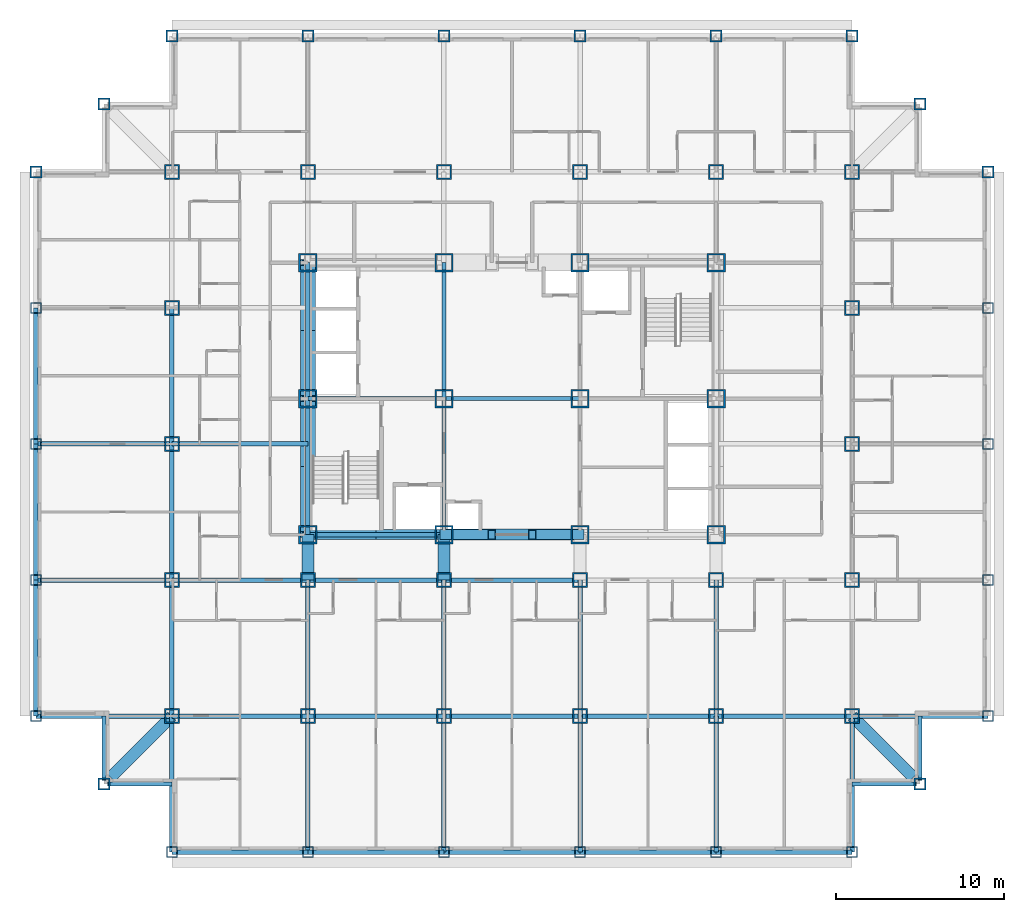
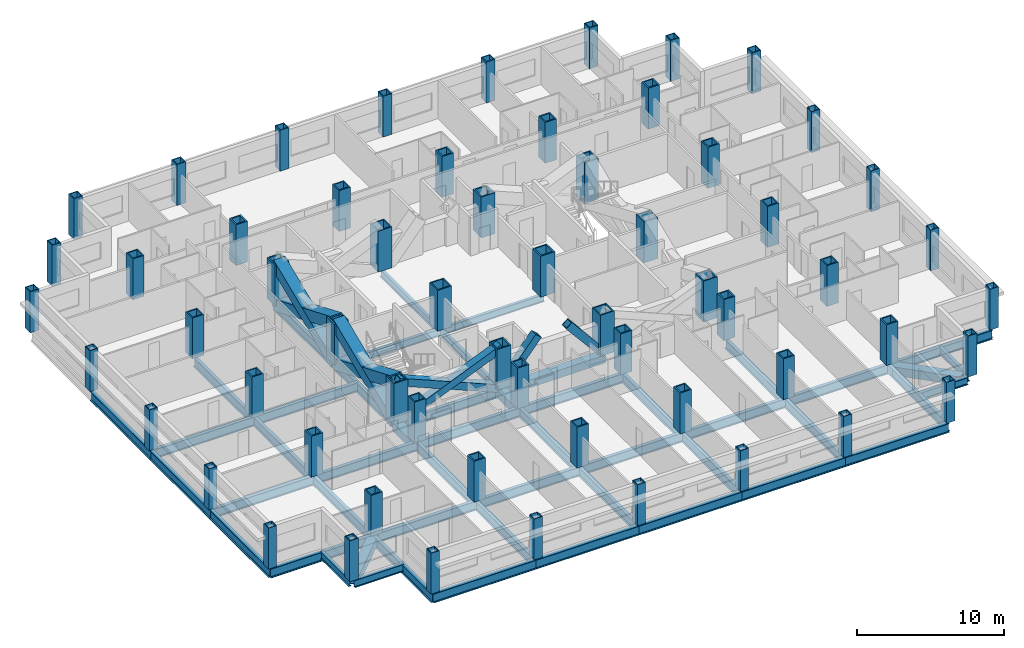
# One storey, part 1 of 12: 60 columns, 50 beams, 8 members.
"""IFC4 building model written with IfcOpenShell, lengths in metres."""

from ifc_helpers import new_model, si_unit, direction, frame, origin, origin_2d, place, context, subcontext, project, spatial, hollow_rectangle, i_section, extrude, material, material_profile, profile_set, type_object, element, save


model = new_model("IFC4")

# Units and contexts
model_context = context("Model", 3, precision=1e-05, world=origin(), true_north=direction((0.0, 1.0)))
body_context = subcontext(model_context, "Body", "Model", "MODEL_VIEW")
ifc_project = project(units=[si_unit("LENGTHUNIT", "METRE"), si_unit("AREAUNIT", "SQUARE_METRE"), si_unit("VOLUMEUNIT", "CUBIC_METRE"), si_unit("PLANEANGLEUNIT", "RADIAN"), si_unit("MASSUNIT", "GRAM", prefix="KILO")], contexts=[model_context])

# Site, building, storey
site_placement = place(None, origin())
site = spatial("IfcSite", under=ifc_project, at=site_placement, CompositionType="ELEMENT")
building_placement = place(site_placement, origin())
building = spatial("IfcBuilding", under=site, at=building_placement, Name="Kopane Lantern Tower", CompositionType="ELEMENT")
storey_placement = place(building_placement, frame((0.0, 0.0, 147.60009765625)))
storey = spatial("IfcBuildingStorey", under=building, at=storey_placement, Name="L38", CompositionType="ELEMENT", Elevation=147.60009765625)

# Columns
ifc_material_1 = material(Name="Steel S355JR", Category="steel")
ifc_material_profile_1 = material_profile(ifc_material_1, hollow_rectangle(XDim=1.10009765625, YDim=1.10009765625, WallThickness=0.10009765625, at=origin_2d()), Name="BOX 1100x1100x100")
ifc_profile_set_1 = profile_set([ifc_material_profile_1], Name="Steel S355JR")
column_type_1 = type_object("IfcColumnType", Name="COLUMN BOX 1100x1100x100", PredefinedType="COLUMN", material=ifc_profile_set_1)
for number, where, z_axis, x_axis, name in (
    (1, (16.199951171875, 24.300048828125, 0.0), (0.0, 0.0, 1.0), (1.0, 0.0, 0.0), "Column 4/E L38"),
    (2, (16.199951171875, 32.39990234375, 0.0), (0.0, 0.0, 1.0), (1.0, 0.0, 0.0), "Column 4/F L38"),
    (3, (16.199951171875, 40.5, 0.0), (0.0, 0.0, 1.0), (1.0, 0.0, 0.0), "Column 4/G L38"),
    (4, (24.300048828125, 24.300048828125, 0.0), (0.0, 0.0, 1.0), (1.0, 0.0, 0.0), "Column 5/E L38"),
    (5, (24.300048828125, 32.39990234375, 0.0), (0.0, 0.0, 1.0), (1.0, 0.0, 0.0), "Column 5/F L38"),
    (6, (24.300048828125, 40.5, 0.0), (0.0, 0.0, 1.0), (1.0, 0.0, 0.0), "Column 5/G L38"),
    (7, (32.39990234375, 24.300048828125, 0.0), (0.0, 0.0, 1.0), (1.0, 0.0, 0.0), "Column 6/E L38"),
    (8, (32.39990234375, 32.39990234375, 0.0), (0.0, 0.0, 1.0), (1.0, 0.0, 0.0), "Column 6/F L38"),
    (9, (32.39990234375, 40.5, 0.0), (0.0, 0.0, 1.0), (1.0, 0.0, 0.0), "Column 6/G L38"),
    (10, (40.5, 24.300048828125, 0.0), (0.0, 0.0, 1.0), (1.0, 0.0, 0.0), "Column 7/E L38"),
    (11, (40.5, 32.39990234375, 0.0), (0.0, 0.0, 1.0), (1.0, 0.0, 0.0), "Column 7/F L38"),
    (12, (40.5, 40.5, 0.0), (0.0, 0.0, 1.0), (1.0, 0.0, 0.0), "Column 7/G L38"),
):
    element("IfcColumn", number, at=place(storey_placement, frame(where, z_axis=z_axis, x_axis=x_axis)), inside=storey, type_object=column_type_1, Name=name, PredefinedType="COLUMN", context=body_context, shape_type="SweptSolid", body=[
        extrude(hollow_rectangle(XDim=1.10009765625, YDim=1.10009765625, WallThickness=0.10009765625, at=origin_2d()), origin(), (0.0, 0.0, 1.0), 3.39990234375),
    ])
ifc_material_2 = material(Name="Steel S355JR", Category="steel")
ifc_material_profile_2 = material_profile(ifc_material_2, hollow_rectangle(XDim=0.64990234375, YDim=0.64990234375, WallThickness=0.054931640625, at=origin_2d()), Name="BOX 650x650x55")
ifc_profile_set_2 = profile_set([ifc_material_profile_2], Name="Steel S355JR")
column_type_2 = type_object("IfcColumnType", Name="COLUMN BOX 650x650x55", PredefinedType="COLUMN", material=ifc_profile_set_2)
for number, where, z_axis, x_axis, name in (
    (13, (0.0, 13.5, 0.0), (0.0, 0.0, 1.0), (1.0, 0.0, 0.0), "Column 2/P2 L38"),
    (14, (0.0, 21.60009765625, 0.0), (0.0, 0.0, 1.0), (1.0, 0.0, 0.0), "Column 2/P3 L38"),
    (15, (0.0, 29.699951171875, 0.0), (0.0, 0.0, 1.0), (1.0, 0.0, 0.0), "Column 2/P4 L38"),
    (16, (0.0, 37.800048828125, 0.0), (0.0, 0.0, 1.0), (1.0, 0.0, 0.0), "Column 2/P5 L38"),
    (17, (8.10009765625, 5.39990234375, 0.0), (0.0, 0.0, 1.0), (1.0, 0.0, 0.0), "Column 3/P1 L38"),
    (18, (16.199951171875, 5.39990234375, 0.0), (0.0, 0.0, 1.0), (1.0, 0.0, 0.0), "Column 4/P1 L38"),
    (19, (24.300048828125, 5.39990234375, 0.0), (0.0, 0.0, 1.0), (1.0, 0.0, 0.0), "Column 5/P1 L38"),
    (20, (32.39990234375, 5.39990234375, 0.0), (0.0, 0.0, 1.0), (1.0, 0.0, 0.0), "Column 6/P1 L38"),
    (21, (40.5, 5.39990234375, 0.0), (0.0, 0.0, 1.0), (1.0, 0.0, 0.0), "Column 7/P1 L38"),
    (22, (48.60009765625, 5.39990234375, 0.0), (0.0, 0.0, 1.0), (1.0, 0.0, 0.0), "Column 8/P1 L38"),
    (23, (56.699951171875, 13.5, 0.0), (0.0, 0.0, 1.0), (1.0, 0.0, 0.0), "Column 9/P2 L38"),
    (24, (56.699951171875, 21.60009765625, 0.0), (0.0, 0.0, 1.0), (1.0, 0.0, 0.0), "Column 9/P3 L38"),
    (25, (56.699951171875, 29.699951171875, 0.0), (0.0, 0.0, 1.0), (1.0, 0.0, 0.0), "Column 9/P4 L38"),
    (26, (56.699951171875, 37.800048828125, 0.0), (0.0, 0.0, 1.0), (1.0, 0.0, 0.0), "Column 9/P5 L38"),
):
    element("IfcColumn", number, at=place(storey_placement, frame(where, z_axis=z_axis, x_axis=x_axis)), inside=storey, type_object=column_type_2, Name=name, PredefinedType="COLUMN", context=body_context, shape_type="SweptSolid", body=[
        extrude(hollow_rectangle(XDim=0.64990234375, YDim=0.64990234375, WallThickness=0.054931640625, at=origin_2d()), origin(), (0.0, 0.0, 1.0), 3.39990234375),
    ])
ifc_material_3 = material(Name="Steel S355JR", Category="steel")
ifc_material_profile_3 = material_profile(ifc_material_3, hollow_rectangle(XDim=0.699951171875, YDim=0.699951171875, WallThickness=0.070068359375, at=origin_2d()), Name="BOX 700x700x70")
ifc_profile_set_3 = profile_set([ifc_material_profile_3], Name="Steel S355JR")
column_type_3 = type_object("IfcColumnType", Name="COLUMN BOX 700x700x70", PredefinedType="COLUMN", material=ifc_profile_set_3)
for number, where, z_axis, x_axis, name in (
    (27, (0.0, 45.89990234375, 0.0), (0.0, 0.0, 1.0), (1.0, 0.0, 0.0), "Column 2/P6 L38"),
    (28, (4.050048828125, 9.449951171875, 0.0), (0.0, 0.0, 1.0), (1.0, 0.0, 0.0), "Column 4.05/9.45 L38"),
    (29, (4.050048828125, 49.949951171875, 0.0), (0.0, 0.0, 1.0), (1.0, 0.0, 0.0), "Column 4.05/49.95 L38"),
    (30, (8.10009765625, 54.0, 0.0), (0.0, 0.0, 1.0), (1.0, 0.0, 0.0), "Column 3/P7 L38"),
    (31, (16.199951171875, 54.0, 0.0), (0.0, 0.0, 1.0), (1.0, 0.0, 0.0), "Column 4/P7 L38"),
    (32, (24.300048828125, 54.0, 0.0), (0.0, 0.0, 1.0), (1.0, 0.0, 0.0), "Column 5/P7 L38"),
    (33, (32.39990234375, 54.0, 0.0), (0.0, 0.0, 1.0), (1.0, 0.0, 0.0), "Column 6/P7 L38"),
    (34, (40.5, 54.0, 0.0), (0.0, 0.0, 1.0), (1.0, 0.0, 0.0), "Column 7/P7 L38"),
    (35, (48.60009765625, 54.0, 0.0), (0.0, 0.0, 1.0), (1.0, 0.0, 0.0), "Column 8/P7 L38"),
    (36, (52.64990234375, 9.449951171875, 0.0), (0.0, 0.0, 1.0), (1.0, 0.0, 0.0), "Column 52.65/9.45 L38"),
    (37, (52.64990234375, 49.949951171875, 0.0), (0.0, 0.0, 1.0), (1.0, 0.0, 0.0), "Column 52.65/49.95 L38"),
    (38, (56.699951171875, 45.89990234375, 0.0), (0.0, 0.0, 1.0), (1.0, 0.0, 0.0), "Column 9/P6 L38"),
):
    element("IfcColumn", number, at=place(storey_placement, frame(where, z_axis=z_axis, x_axis=x_axis)), inside=storey, type_object=column_type_3, Name=name, PredefinedType="COLUMN", context=body_context, shape_type="SweptSolid", body=[
        extrude(hollow_rectangle(XDim=0.699951171875, YDim=0.699951171875, WallThickness=0.070068359375, at=origin_2d()), origin(), (0.0, 0.0, 1.0), 3.39990234375),
    ])
ifc_material_4 = material(Name="Steel S355JR", Category="steel")
ifc_material_profile_4 = material_profile(ifc_material_4, hollow_rectangle(XDim=0.89990234375, YDim=0.89990234375, WallThickness=0.10009765625, at=origin_2d()), Name="BOX 900x900x100")
ifc_profile_set_4 = profile_set([ifc_material_profile_4], Name="Steel S355JR")
column_type_4 = type_object("IfcColumnType", Name="COLUMN BOX 900x900x100", PredefinedType="COLUMN", material=ifc_profile_set_4)
for number, where, z_axis, x_axis, name in (
    (39, (8.10009765625, 13.5, 0.0), (0.0, 0.0, 1.0), (1.0, 0.0, 0.0), "Column 3/P2 L38"),
    (40, (8.10009765625, 21.60009765625, 0.0), (0.0, 0.0, 1.0), (1.0, 0.0, 0.0), "Column 3/P3 L38"),
    (41, (8.10009765625, 29.699951171875, 0.0), (0.0, 0.0, 1.0), (1.0, 0.0, 0.0), "Column 3/P4 L38"),
    (42, (8.10009765625, 37.800048828125, 0.0), (0.0, 0.0, 1.0), (1.0, 0.0, 0.0), "Column 3/P5 L38"),
    (43, (8.10009765625, 45.89990234375, 0.0), (0.0, 0.0, 1.0), (1.0, 0.0, 0.0), "Column 3/P6 L38"),
    (44, (16.199951171875, 13.5, 0.0), (0.0, 0.0, 1.0), (1.0, 0.0, 0.0), "Column 4/P2 L38"),
    (45, (16.199951171875, 21.60009765625, 0.0), (0.0, 0.0, 1.0), (1.0, 0.0, 0.0), "Column 4/P3 L38"),
    (46, (16.199951171875, 45.89990234375, 0.0), (0.0, 0.0, 1.0), (1.0, 0.0, 0.0), "Column 4/P6 L38"),
    (47, (24.300048828125, 13.5, 0.0), (0.0, 0.0, 1.0), (1.0, 0.0, 0.0), "Column 5/P2 L38"),
    (48, (24.300048828125, 21.60009765625, 0.0), (0.0, 0.0, 1.0), (1.0, 0.0, 0.0), "Column 5/P3 L38"),
    (49, (24.300048828125, 45.89990234375, 0.0), (0.0, 0.0, 1.0), (1.0, 0.0, 0.0), "Column 5/P6 L38"),
    (50, (32.39990234375, 13.5, 0.0), (0.0, 0.0, 1.0), (1.0, 0.0, 0.0), "Column 6/P2 L38"),
    (51, (32.39990234375, 21.60009765625, 0.0), (0.0, 0.0, 1.0), (1.0, 0.0, 0.0), "Column 6/P3 L38"),
    (52, (32.39990234375, 45.89990234375, 0.0), (0.0, 0.0, 1.0), (1.0, 0.0, 0.0), "Column 6/P6 L38"),
    (53, (40.5, 13.5, 0.0), (0.0, 0.0, 1.0), (1.0, 0.0, 0.0), "Column 7/P2 L38"),
    (54, (40.5, 21.60009765625, 0.0), (0.0, 0.0, 1.0), (1.0, 0.0, 0.0), "Column 7/P3 L38"),
    (55, (40.5, 45.89990234375, 0.0), (0.0, 0.0, 1.0), (1.0, 0.0, 0.0), "Column 7/P6 L38"),
    (56, (48.60009765625, 13.5, 0.0), (0.0, 0.0, 1.0), (1.0, 0.0, 0.0), "Column 8/P2 L38"),
    (57, (48.60009765625, 21.60009765625, 0.0), (0.0, 0.0, 1.0), (1.0, 0.0, 0.0), "Column 8/P3 L38"),
    (58, (48.60009765625, 29.699951171875, 0.0), (0.0, 0.0, 1.0), (1.0, 0.0, 0.0), "Column 8/P4 L38"),
    (59, (48.60009765625, 37.800048828125, 0.0), (0.0, 0.0, 1.0), (1.0, 0.0, 0.0), "Column 8/P5 L38"),
    (60, (48.60009765625, 45.89990234375, 0.0), (0.0, 0.0, 1.0), (1.0, 0.0, 0.0), "Column 8/P6 L38"),
):
    element("IfcColumn", number, at=place(storey_placement, frame(where, z_axis=z_axis, x_axis=x_axis)), inside=storey, type_object=column_type_4, Name=name, PredefinedType="COLUMN", context=body_context, shape_type="SweptSolid", body=[
        extrude(hollow_rectangle(XDim=0.89990234375, YDim=0.89990234375, WallThickness=0.10009765625, at=origin_2d()), origin(), (0.0, 0.0, 1.0), 3.39990234375),
    ])

# Members
ifc_material_5 = material(Name="Steel S355JR", Category="steel")
ifc_material_profile_5 = material_profile(ifc_material_5, hollow_rectangle(XDim=0.60009765625, YDim=0.60009765625, WallThickness=0.050048828125, at=origin_2d()), Name="BOX 600x600x50")
ifc_profile_set_5 = profile_set([ifc_material_profile_5], Name="Steel S355JR")
member_type_1 = type_object("IfcMemberType", Name="BRACE BOX 600x600x50", PredefinedType="BRACE", material=ifc_profile_set_5)
for number, where, z_axis, x_axis, name in (
    (61, (16.199951171875, 24.300048828125, -0.210205078125), (0.92205908274, 0.0, 0.387049154419), (0.0, 1.0, 0.0), "Core brace L38"),
    (62, (24.300048828125, 24.300048828125, -0.210205078125), (-0.92205908274, 0.0, 0.387049154419), (0.0, -1.0, 0.0), "Core brace L38"),
):
    element("IfcMember", number, at=place(storey_placement, frame(where, z_axis=z_axis, x_axis=x_axis)), inside=storey, type_object=member_type_1, Name=name, PredefinedType="BRACE", context=body_context, shape_type="SweptSolid", body=[
        extrude(hollow_rectangle(XDim=0.60009765625, YDim=0.60009765625, WallThickness=0.050048828125, at=origin_2d()), origin(), (0.0, 0.0, 1.0), 8.784912109375),
    ])
for number, where, z_axis, x_axis, name in (
    (63, (24.300048828125, 24.300048828125, -0.210205078125), (0.642363165114, 0.0, 0.766400394118), (0.0, 1.0, 0.0), "Core brace L38"),
    (64, (32.39990234375, 24.300048828125, -0.210205078125), (-0.642363165114, 0.0, 0.766400394118), (0.0, -1.0, 0.0), "Core brace L38"),
):
    element("IfcMember", number, at=place(storey_placement, frame(where, z_axis=z_axis, x_axis=x_axis)), inside=storey, type_object=member_type_1, Name=name, PredefinedType="BRACE", context=body_context, shape_type="SweptSolid", body=[
        extrude(hollow_rectangle(XDim=0.60009765625, YDim=0.60009765625, WallThickness=0.050048828125, at=origin_2d()), origin(), (0.0, 0.0, 1.0), 4.4365234375),
    ])
ifc_material_6 = material(Name="Steel S355JR", Category="steel")
ifc_material_profile_6 = material_profile(ifc_material_6, hollow_rectangle(XDim=0.89990234375, YDim=0.89990234375, WallThickness=0.090087890625, at=origin_2d()), Name="BOX 900x900x90")
ifc_profile_set_6 = profile_set([ifc_material_profile_6], Name="Steel S355JR")
member_type_2 = type_object("IfcMemberType", Name="BRACE BOX 900x900x90", PredefinedType="BRACE", material=ifc_profile_set_6)
for number, where, z_axis, x_axis, name in (
    (65, (16.199951171875, 24.300048828125, -0.210205078125), (0.0, 0.92205491925, 0.387059072864), (-1.0, 0.0, 0.0), "Core brace L38"),
    (66, (16.199951171875, 32.39990234375, -0.210205078125), (0.0, -0.92205491925, 0.387059072864), (1.0, 0.0, 0.0), "Core brace L38"),
):
    element("IfcMember", number, at=place(storey_placement, frame(where, z_axis=z_axis, x_axis=x_axis)), inside=storey, type_object=member_type_2, Name=name, PredefinedType="BRACE", context=body_context, shape_type="SweptSolid", body=[
        extrude(hollow_rectangle(XDim=0.89990234375, YDim=0.89990234375, WallThickness=0.090087890625, at=origin_2d()), origin(), (0.0, 0.0, 1.0), 8.78466796875),
    ])
for number, where, z_axis, x_axis, name in (
    (67, (16.199951171875, 32.39990234375, -0.210205078125), (0.0, 0.92205908274, 0.387049154419), (-1.0, 0.0, 0.0), "Core brace L38"),
    (68, (16.199951171875, 40.5, -0.210205078125), (0.0, -0.92205908274, 0.387049154419), (1.0, 0.0, 0.0), "Core brace L38"),
):
    element("IfcMember", number, at=place(storey_placement, frame(where, z_axis=z_axis, x_axis=x_axis)), inside=storey, type_object=member_type_2, Name=name, PredefinedType="BRACE", context=body_context, shape_type="SweptSolid", body=[
        extrude(hollow_rectangle(XDim=0.89990234375, YDim=0.89990234375, WallThickness=0.090087890625, at=origin_2d()), origin(), (0.0, 0.0, 1.0), 8.784912109375),
    ])

# Beams
ifc_material_7 = material(Name="Steel S355JR", Category="steel")
ifc_material_profile_7 = material_profile(ifc_material_7, i_section(OverallWidth=0.22900390625, OverallDepth=0.6123046875, WebThickness=0.011962890625, FlangeThickness=0.01953125, FilletRadius=0.0126953125, at=origin_2d()), Name="UB 610x229x125")
ifc_profile_set_7 = profile_set([ifc_material_profile_7], Name="Steel S355JR")
beam_type_1 = type_object("IfcBeamType", Name="CORE BEAM UB 610x229x125", PredefinedType="BEAM", material=ifc_profile_set_7)
beam_1_placement = place(storey_placement, frame((16.199951171875, 32.39990234375, -0.51611328125), z_axis=(1.0, 0.0, 0.0), x_axis=(0.0, 1.0, 0.0)))
element("IfcBeam", 69, at=beam_1_placement, inside=storey, type_object=beam_type_1, Name="Core Beam L38", PredefinedType="BEAM", context=body_context, shape_type="SweptSolid", body=[
    extrude(i_section(OverallWidth=0.22900390625, OverallDepth=0.6123046875, WebThickness=0.011962890625, FlangeThickness=0.01953125, FilletRadius=0.0126953125, at=origin_2d()), origin(), (0.0, 0.0, 1.0), 8.10009765625),
])
beam_2_placement = place(storey_placement, frame((24.300048828125, 24.300048828125, -0.51611328125), z_axis=(0.0, 1.0, 0.0), x_axis=(-1.0, 0.0, 0.0)))
element("IfcBeam", 70, at=beam_2_placement, inside=storey, type_object=beam_type_1, Name="Core Beam L38", PredefinedType="BEAM", context=body_context, shape_type="SweptSolid", body=[
    extrude(i_section(OverallWidth=0.22900390625, OverallDepth=0.6123046875, WebThickness=0.011962890625, FlangeThickness=0.01953125, FilletRadius=0.0126953125, at=origin_2d()), origin(), (0.0, 0.0, 1.0), 8.099853515625),
])
beam_3_placement = place(storey_placement, frame((24.300048828125, 32.39990234375, -0.51611328125), z_axis=(0.0, 1.0, 0.0), x_axis=(-1.0, 0.0, 0.0)))
element("IfcBeam", 71, at=beam_3_placement, inside=storey, type_object=beam_type_1, Name="Core Beam L38", PredefinedType="BEAM", context=body_context, shape_type="SweptSolid", body=[
    extrude(i_section(OverallWidth=0.22900390625, OverallDepth=0.6123046875, WebThickness=0.011962890625, FlangeThickness=0.01953125, FilletRadius=0.0126953125, at=origin_2d()), origin(), (0.0, 0.0, 1.0), 8.10009765625),
])
beam_4_placement = place(storey_placement, frame((24.300048828125, 32.39990234375, -0.51611328125), z_axis=(1.0, 0.0, 0.0), x_axis=(0.0, 1.0, 0.0)))
element("IfcBeam", 72, at=beam_4_placement, inside=storey, type_object=beam_type_1, Name="Core Beam L38", PredefinedType="BEAM", context=body_context, shape_type="SweptSolid", body=[
    extrude(i_section(OverallWidth=0.22900390625, OverallDepth=0.6123046875, WebThickness=0.011962890625, FlangeThickness=0.01953125, FilletRadius=0.0126953125, at=origin_2d()), origin(), (0.0, 0.0, 1.0), 8.099853515625),
])
ifc_material_8 = material(Name="Steel S355JR", Category="steel")
ifc_material_profile_8 = material_profile(ifc_material_8, hollow_rectangle(XDim=0.699951171875, YDim=0.699951171875, WallThickness=0.06005859375, at=origin_2d()), Name="BOX 700x700x60")
ifc_profile_set_8 = profile_set([ifc_material_profile_8], Name="Steel S355JR")
beam_type_2 = type_object("IfcBeamType", Name="CORNER TIE BEAM BOX 700x700x60", PredefinedType="BEAM", material=ifc_profile_set_8)
beam_5_placement = place(storey_placement, frame((4.447509765625, 9.847412109375, -0.56005859375), z_axis=(0.707106781187, 0.707106781187, 0.0), x_axis=(-0.707106781187, 0.707106781187, 0.0)))
element("IfcBeam", 73, at=beam_5_placement, inside=storey, type_object=beam_type_2, Name="Corner Tie Beam L38", PredefinedType="BEAM", context=body_context, shape_type="SweptSolid", body=[
    extrude(hollow_rectangle(XDim=0.699951171875, YDim=0.699951171875, WallThickness=0.06005859375, at=origin_2d()), origin(), (0.0, 0.0, 1.0), 5.16552734375),
])
beam_6_placement = place(storey_placement, frame((52.25244140625, 9.847412109375, -0.56005859375), z_axis=(-0.707083148333, 0.70713041325, 0.0), x_axis=(-0.70713041325, -0.707083148333, 0.0)))
element("IfcBeam", 74, at=beam_6_placement, inside=storey, type_object=beam_type_2, Name="Corner Tie Beam L38", PredefinedType="BEAM", context=body_context, shape_type="SweptSolid", body=[
    extrude(hollow_rectangle(XDim=0.699951171875, YDim=0.699951171875, WallThickness=0.06005859375, at=origin_2d()), origin(), (0.0, 0.0, 1.0), 5.165283203125),
])
ifc_material_9 = material(Name="Steel S355JR", Category="steel")
ifc_material_profile_9 = material_profile(ifc_material_9, i_section(OverallWidth=0.22900390625, OverallDepth=0.6123046875, WebThickness=0.011962890625, FlangeThickness=0.01953125, FilletRadius=0.0126953125, at=origin_2d()), Name="UB 610x229x125")
ifc_profile_set_9 = profile_set([ifc_material_profile_9], Name="Steel S355JR")
beam_type_3 = type_object("IfcBeamType", Name="EDGE BEAM UB 610x229x125", PredefinedType="BEAM", material=ifc_profile_set_9)
beam_7_placement = place(storey_placement, frame((4.050048828125, 9.653564453125, -0.51611328125), z_axis=(0.0, 1.0, 0.0), x_axis=(-1.0, 0.0, 0.0)))
element("IfcBeam", 75, at=beam_7_placement, inside=storey, type_object=beam_type_3, Name="Edge Beam L38", PredefinedType="BEAM", context=body_context, shape_type="SweptSolid", body=[
    extrude(i_section(OverallWidth=0.22900390625, OverallDepth=0.6123046875, WebThickness=0.011962890625, FlangeThickness=0.01953125, FilletRadius=0.0126953125, at=origin_2d()), origin(), (0.0, 0.0, 1.0), 3.846435546875),
])
beam_8_placement = place(storey_placement, frame((4.25341796875, 9.449951171875, -0.51611328125), z_axis=(1.0, 0.0, 0.0), x_axis=(0.0, 1.0, 0.0)))
element("IfcBeam", 76, at=beam_8_placement, inside=storey, type_object=beam_type_3, Name="Edge Beam L38", PredefinedType="BEAM", context=body_context, shape_type="SweptSolid", body=[
    extrude(i_section(OverallWidth=0.22900390625, OverallDepth=0.6123046875, WebThickness=0.011962890625, FlangeThickness=0.01953125, FilletRadius=0.0126953125, at=origin_2d()), origin(), (0.0, 0.0, 1.0), 3.8466796875),
])
for number, where, z_axis, x_axis, name in (
    (77, (52.446533203125, 9.449951171875, -0.51611328125), (-1.0, 0.0, 0.0), (0.0, -1.0, 0.0), "Edge Beam L38"),
    (78, (52.64990234375, 9.653564453125, -0.51611328125), (0.0, 1.0, 0.0), (-1.0, 0.0, 0.0), "Edge Beam L38"),
):
    element("IfcBeam", number, at=place(storey_placement, frame(where, z_axis=z_axis, x_axis=x_axis)), inside=storey, type_object=beam_type_3, Name=name, PredefinedType="BEAM", context=body_context, shape_type="SweptSolid", body=[
        extrude(i_section(OverallWidth=0.22900390625, OverallDepth=0.6123046875, WebThickness=0.011962890625, FlangeThickness=0.01953125, FilletRadius=0.0126953125, at=origin_2d()), origin(), (0.0, 0.0, 1.0), 3.846435546875),
    ])
ifc_material_10 = material(Name="Steel S355JR", Category="steel")
ifc_material_profile_10 = material_profile(ifc_material_10, hollow_rectangle(XDim=0.699951171875, YDim=0.699951171875, WallThickness=0.06005859375, at=origin_2d()), Name="BOX 700x700x60")
ifc_profile_set_10 = profile_set([ifc_material_profile_10], Name="Steel S355JR")
beam_type_4 = type_object("IfcBeamType", Name="GIRDER BOX 700x700x60", PredefinedType="BEAM", material=ifc_profile_set_10)
for number, where, z_axis, x_axis, name in (
    (79, (16.199951171875, 21.60009765625, -0.56005859375), (0.0, 1.0, 0.0), (-1.0, 0.0, 0.0), "Girder L38"),
    (80, (24.300048828125, 21.60009765625, -0.56005859375), (0.0, 1.0, 0.0), (-1.0, 0.0, 0.0), "Girder L38"),
):
    element("IfcBeam", number, at=place(storey_placement, frame(where, z_axis=z_axis, x_axis=x_axis)), inside=storey, type_object=beam_type_4, Name=name, PredefinedType="BEAM", context=body_context, shape_type="SweptSolid", body=[
        extrude(hollow_rectangle(XDim=0.699951171875, YDim=0.699951171875, WallThickness=0.06005859375, at=origin_2d()), origin(), (0.0, 0.0, 1.0), 2.699951171875),
    ])
ifc_material_11 = material(Name="Steel S355JR", Category="steel")
ifc_material_profile_11 = material_profile(ifc_material_11, i_section(OverallWidth=0.26806640625, OverallDepth=0.769775390625, WebThickness=0.015625, FlangeThickness=0.025390625, FilletRadius=0.0166015625, at=origin_2d()), Name="UB 762x267x197")
ifc_profile_set_11 = profile_set([ifc_material_profile_11], Name="Steel S355JR")
beam_type_5 = type_object("IfcBeamType", Name="GIRDER UB 762x267x197", PredefinedType="BEAM", material=ifc_profile_set_11)
for number, where, z_axis, x_axis, name in (
    (81, (0.0, 13.5, -0.594970703125), (0.0, 1.0, 0.0), (-1.0, 0.0, 0.0), "Girder L38"),
    (82, (0.0, 13.5, -0.594970703125), (1.0, 0.0, 0.0), (0.0, 1.0, 0.0), "Girder L38"),
):
    element("IfcBeam", number, at=place(storey_placement, frame(where, z_axis=z_axis, x_axis=x_axis)), inside=storey, type_object=beam_type_5, Name=name, PredefinedType="BEAM", context=body_context, shape_type="SweptSolid", body=[
        extrude(i_section(OverallWidth=0.26806640625, OverallDepth=0.769775390625, WebThickness=0.015625, FlangeThickness=0.025390625, FilletRadius=0.0166015625, at=origin_2d()), origin(), (0.0, 0.0, 1.0), 8.10009765625),
    ])
beam_9_placement = place(storey_placement, frame((0.0, 21.60009765625, -0.594970703125), z_axis=(0.0, 1.0, 0.0), x_axis=(-1.0, 0.0, 0.0)))
element("IfcBeam", 83, at=beam_9_placement, inside=storey, type_object=beam_type_5, Name="Girder L38", PredefinedType="BEAM", context=body_context, shape_type="SweptSolid", body=[
    extrude(i_section(OverallWidth=0.26806640625, OverallDepth=0.769775390625, WebThickness=0.015625, FlangeThickness=0.025390625, FilletRadius=0.0166015625, at=origin_2d()), origin(), (0.0, 0.0, 1.0), 8.099853515625),
])
for number, where, z_axis, x_axis, name in (
    (84, (0.0, 21.60009765625, -0.594970703125), (1.0, 0.0, 0.0), (0.0, 1.0, 0.0), "Girder L38"),
    (85, (0.0, 29.699951171875, -0.594970703125), (0.0, 1.0, 0.0), (-1.0, 0.0, 0.0), "Girder L38"),
    (86, (0.0, 29.699951171875, -0.594970703125), (1.0, 0.0, 0.0), (0.0, 1.0, 0.0), "Girder L38"),
    (87, (8.10009765625, 5.39990234375, -0.594970703125), (0.0, 1.0, 0.0), (-1.0, 0.0, 0.0), "Girder L38"),
):
    element("IfcBeam", number, at=place(storey_placement, frame(where, z_axis=z_axis, x_axis=x_axis)), inside=storey, type_object=beam_type_5, Name=name, PredefinedType="BEAM", context=body_context, shape_type="SweptSolid", body=[
        extrude(i_section(OverallWidth=0.26806640625, OverallDepth=0.769775390625, WebThickness=0.015625, FlangeThickness=0.025390625, FilletRadius=0.0166015625, at=origin_2d()), origin(), (0.0, 0.0, 1.0), 8.10009765625),
    ])
beam_10_placement = place(storey_placement, frame((8.10009765625, 5.39990234375, -0.594970703125), z_axis=(1.0, 0.0, 0.0), x_axis=(0.0, 1.0, 0.0)))
element("IfcBeam", 88, at=beam_10_placement, inside=storey, type_object=beam_type_5, Name="Girder L38", PredefinedType="BEAM", context=body_context, shape_type="SweptSolid", body=[
    extrude(i_section(OverallWidth=0.26806640625, OverallDepth=0.769775390625, WebThickness=0.015625, FlangeThickness=0.025390625, FilletRadius=0.0166015625, at=origin_2d()), origin(), (0.0, 0.0, 1.0), 8.099853515625),
])
beam_11_placement = place(storey_placement, frame((8.10009765625, 13.5, -0.594970703125), z_axis=(0.0, 1.0, 0.0), x_axis=(-1.0, 0.0, 0.0)))
element("IfcBeam", 89, at=beam_11_placement, inside=storey, type_object=beam_type_5, Name="Girder L38", PredefinedType="BEAM", context=body_context, shape_type="SweptSolid", body=[
    extrude(i_section(OverallWidth=0.26806640625, OverallDepth=0.769775390625, WebThickness=0.015625, FlangeThickness=0.025390625, FilletRadius=0.0166015625, at=origin_2d()), origin(), (0.0, 0.0, 1.0), 8.10009765625),
])
for number, where, z_axis, x_axis, name in (
    (90, (8.10009765625, 13.5, -0.594970703125), (1.0, 0.0, 0.0), (0.0, 1.0, 0.0), "Girder L38"),
    (91, (8.10009765625, 21.60009765625, -0.594970703125), (0.0, 1.0, 0.0), (-1.0, 0.0, 0.0), "Girder L38"),
    (92, (8.10009765625, 21.60009765625, -0.594970703125), (1.0, 0.0, 0.0), (0.0, 1.0, 0.0), "Girder L38"),
):
    element("IfcBeam", number, at=place(storey_placement, frame(where, z_axis=z_axis, x_axis=x_axis)), inside=storey, type_object=beam_type_5, Name=name, PredefinedType="BEAM", context=body_context, shape_type="SweptSolid", body=[
        extrude(i_section(OverallWidth=0.26806640625, OverallDepth=0.769775390625, WebThickness=0.015625, FlangeThickness=0.025390625, FilletRadius=0.0166015625, at=origin_2d()), origin(), (0.0, 0.0, 1.0), 8.099853515625),
    ])
beam_12_placement = place(storey_placement, frame((8.10009765625, 29.699951171875, -0.594970703125), z_axis=(0.0, 1.0, 0.0), x_axis=(-1.0, 0.0, 0.0)))
element("IfcBeam", 93, at=beam_12_placement, inside=storey, type_object=beam_type_5, Name="Girder L38", PredefinedType="BEAM", context=body_context, shape_type="SweptSolid", body=[
    extrude(i_section(OverallWidth=0.26806640625, OverallDepth=0.769775390625, WebThickness=0.015625, FlangeThickness=0.025390625, FilletRadius=0.0166015625, at=origin_2d()), origin(), (0.0, 0.0, 1.0), 8.10009765625),
])
beam_13_placement = place(storey_placement, frame((8.10009765625, 29.699951171875, -0.594970703125), z_axis=(1.0, 0.0, 0.0), x_axis=(0.0, 1.0, 0.0)))
element("IfcBeam", 94, at=beam_13_placement, inside=storey, type_object=beam_type_5, Name="Girder L38", PredefinedType="BEAM", context=body_context, shape_type="SweptSolid", body=[
    extrude(i_section(OverallWidth=0.26806640625, OverallDepth=0.769775390625, WebThickness=0.015625, FlangeThickness=0.025390625, FilletRadius=0.0166015625, at=origin_2d()), origin(), (0.0, 0.0, 1.0), 8.099853515625),
])
for number, where, z_axis, x_axis, name in (
    (95, (16.199951171875, 5.39990234375, -0.594970703125), (0.0, 1.0, 0.0), (-1.0, 0.0, 0.0), "Girder L38"),
    (96, (16.199951171875, 5.39990234375, -0.594970703125), (1.0, 0.0, 0.0), (0.0, 1.0, 0.0), "Girder L38"),
    (97, (16.199951171875, 13.5, -0.594970703125), (0.0, 1.0, 0.0), (-1.0, 0.0, 0.0), "Girder L38"),
    (98, (16.199951171875, 13.5, -0.594970703125), (1.0, 0.0, 0.0), (0.0, 1.0, 0.0), "Girder L38"),
    (99, (16.199951171875, 21.60009765625, -0.594970703125), (1.0, 0.0, 0.0), (0.0, 1.0, 0.0), "Girder L38"),
):
    element("IfcBeam", number, at=place(storey_placement, frame(where, z_axis=z_axis, x_axis=x_axis)), inside=storey, type_object=beam_type_5, Name=name, PredefinedType="BEAM", context=body_context, shape_type="SweptSolid", body=[
        extrude(i_section(OverallWidth=0.26806640625, OverallDepth=0.769775390625, WebThickness=0.015625, FlangeThickness=0.025390625, FilletRadius=0.0166015625, at=origin_2d()), origin(), (0.0, 0.0, 1.0), 8.10009765625),
    ])
beam_14_placement = place(storey_placement, frame((16.199951171875, 24.300048828125, -0.594970703125), z_axis=(0.0, 1.0, 0.0), x_axis=(-1.0, 0.0, 0.0)))
element("IfcBeam", 100, at=beam_14_placement, inside=storey, type_object=beam_type_5, Name="Girder L38", PredefinedType="BEAM", context=body_context, shape_type="SweptSolid", body=[
    extrude(i_section(OverallWidth=0.26806640625, OverallDepth=0.769775390625, WebThickness=0.015625, FlangeThickness=0.025390625, FilletRadius=0.0166015625, at=origin_2d()), origin(), (0.0, 0.0, 1.0), 8.099853515625),
])
for number, where, z_axis, x_axis, name in (
    (101, (16.199951171875, 24.300048828125, -0.594970703125), (1.0, 0.0, 0.0), (0.0, 1.0, 0.0), "Girder L38"),
    (102, (16.199951171875, 32.39990234375, -0.594970703125), (0.0, 1.0, 0.0), (-1.0, 0.0, 0.0), "Girder L38"),
    (103, (24.300048828125, 5.39990234375, -0.594970703125), (0.0, 1.0, 0.0), (-1.0, 0.0, 0.0), "Girder L38"),
):
    element("IfcBeam", number, at=place(storey_placement, frame(where, z_axis=z_axis, x_axis=x_axis)), inside=storey, type_object=beam_type_5, Name=name, PredefinedType="BEAM", context=body_context, shape_type="SweptSolid", body=[
        extrude(i_section(OverallWidth=0.26806640625, OverallDepth=0.769775390625, WebThickness=0.015625, FlangeThickness=0.025390625, FilletRadius=0.0166015625, at=origin_2d()), origin(), (0.0, 0.0, 1.0), 8.10009765625),
    ])
beam_15_placement = place(storey_placement, frame((24.300048828125, 5.39990234375, -0.594970703125), z_axis=(1.0, 0.0, 0.0), x_axis=(0.0, 1.0, 0.0)))
element("IfcBeam", 104, at=beam_15_placement, inside=storey, type_object=beam_type_5, Name="Girder L38", PredefinedType="BEAM", context=body_context, shape_type="SweptSolid", body=[
    extrude(i_section(OverallWidth=0.26806640625, OverallDepth=0.769775390625, WebThickness=0.015625, FlangeThickness=0.025390625, FilletRadius=0.0166015625, at=origin_2d()), origin(), (0.0, 0.0, 1.0), 8.099853515625),
])
beam_16_placement = place(storey_placement, frame((24.300048828125, 13.5, -0.594970703125), z_axis=(0.0, 1.0, 0.0), x_axis=(-1.0, 0.0, 0.0)))
element("IfcBeam", 105, at=beam_16_placement, inside=storey, type_object=beam_type_5, Name="Girder L38", PredefinedType="BEAM", context=body_context, shape_type="SweptSolid", body=[
    extrude(i_section(OverallWidth=0.26806640625, OverallDepth=0.769775390625, WebThickness=0.015625, FlangeThickness=0.025390625, FilletRadius=0.0166015625, at=origin_2d()), origin(), (0.0, 0.0, 1.0), 8.10009765625),
])
for number, where, z_axis, x_axis, name in (
    (106, (24.300048828125, 13.5, -0.594970703125), (1.0, 0.0, 0.0), (0.0, 1.0, 0.0), "Girder L38"),
    (107, (24.300048828125, 21.60009765625, -0.594970703125), (1.0, 0.0, 0.0), (0.0, 1.0, 0.0), "Girder L38"),
):
    element("IfcBeam", number, at=place(storey_placement, frame(where, z_axis=z_axis, x_axis=x_axis)), inside=storey, type_object=beam_type_5, Name=name, PredefinedType="BEAM", context=body_context, shape_type="SweptSolid", body=[
        extrude(i_section(OverallWidth=0.26806640625, OverallDepth=0.769775390625, WebThickness=0.015625, FlangeThickness=0.025390625, FilletRadius=0.0166015625, at=origin_2d()), origin(), (0.0, 0.0, 1.0), 8.099853515625),
    ])
for number, where, z_axis, x_axis, name in (
    (108, (32.39990234375, 5.39990234375, -0.594970703125), (0.0, 1.0, 0.0), (-1.0, 0.0, 0.0), "Girder L38"),
    (109, (32.39990234375, 5.39990234375, -0.594970703125), (1.0, 0.0, 0.0), (0.0, 1.0, 0.0), "Girder L38"),
    (110, (32.39990234375, 13.5, -0.594970703125), (0.0, 1.0, 0.0), (-1.0, 0.0, 0.0), "Girder L38"),
    (111, (32.39990234375, 13.5, -0.594970703125), (1.0, 0.0, 0.0), (0.0, 1.0, 0.0), "Girder L38"),
    (112, (40.5, 5.39990234375, -0.594970703125), (0.0, 1.0, 0.0), (-1.0, 0.0, 0.0), "Girder L38"),
    (113, (40.5, 5.39990234375, -0.594970703125), (1.0, 0.0, 0.0), (0.0, 1.0, 0.0), "Girder L38"),
    (114, (40.5, 13.5, -0.594970703125), (0.0, 1.0, 0.0), (-1.0, 0.0, 0.0), "Girder L38"),
    (115, (40.5, 13.5, -0.594970703125), (1.0, 0.0, 0.0), (0.0, 1.0, 0.0), "Girder L38"),
    (116, (48.60009765625, 5.39990234375, -0.594970703125), (0.0, 1.0, 0.0), (-1.0, 0.0, 0.0), "Girder L38"),
):
    element("IfcBeam", number, at=place(storey_placement, frame(where, z_axis=z_axis, x_axis=x_axis)), inside=storey, type_object=beam_type_5, Name=name, PredefinedType="BEAM", context=body_context, shape_type="SweptSolid", body=[
        extrude(i_section(OverallWidth=0.26806640625, OverallDepth=0.769775390625, WebThickness=0.015625, FlangeThickness=0.025390625, FilletRadius=0.0166015625, at=origin_2d()), origin(), (0.0, 0.0, 1.0), 8.10009765625),
    ])
beam_17_placement = place(storey_placement, frame((48.60009765625, 13.5, -0.594970703125), z_axis=(1.0, 0.0, 0.0), x_axis=(0.0, 1.0, 0.0)))
element("IfcBeam", 117, at=beam_17_placement, inside=storey, type_object=beam_type_5, Name="Girder L38", PredefinedType="BEAM", context=body_context, shape_type="SweptSolid", body=[
    extrude(i_section(OverallWidth=0.26806640625, OverallDepth=0.769775390625, WebThickness=0.015625, FlangeThickness=0.025390625, FilletRadius=0.0166015625, at=origin_2d()), origin(), (0.0, 0.0, 1.0), 8.099853515625),
])
ifc_material_12 = material(Name="Steel S355JR", Category="steel")
ifc_material_profile_12 = material_profile(ifc_material_12, hollow_rectangle(XDim=0.64990234375, YDim=0.64990234375, WallThickness=0.070068359375, at=origin_2d()), Name="BOX 650x650x70")
ifc_profile_set_12 = profile_set([ifc_material_profile_12], Name="Steel S355JR")
beam_type_6 = type_object("IfcBeamType", Name="LINK BEAM BOX 650x650x70", PredefinedType="BEAM", material=ifc_profile_set_12)
beam_18_placement = place(storey_placement, frame((24.300048828125, 24.300048828125, -0.53515625), z_axis=(1.0, 0.0, 0.0), x_axis=(0.0, 1.0, 0.0)))
element("IfcBeam", 118, at=beam_18_placement, inside=storey, type_object=beam_type_6, Name="Link Beam L38", PredefinedType="BEAM", context=body_context, shape_type="SweptSolid", body=[
    extrude(hollow_rectangle(XDim=0.64990234375, YDim=0.64990234375, WallThickness=0.070068359375, at=origin_2d()), origin(), (0.0, 0.0, 1.0), 8.099853515625),
])

save(model, "model.ifc")
